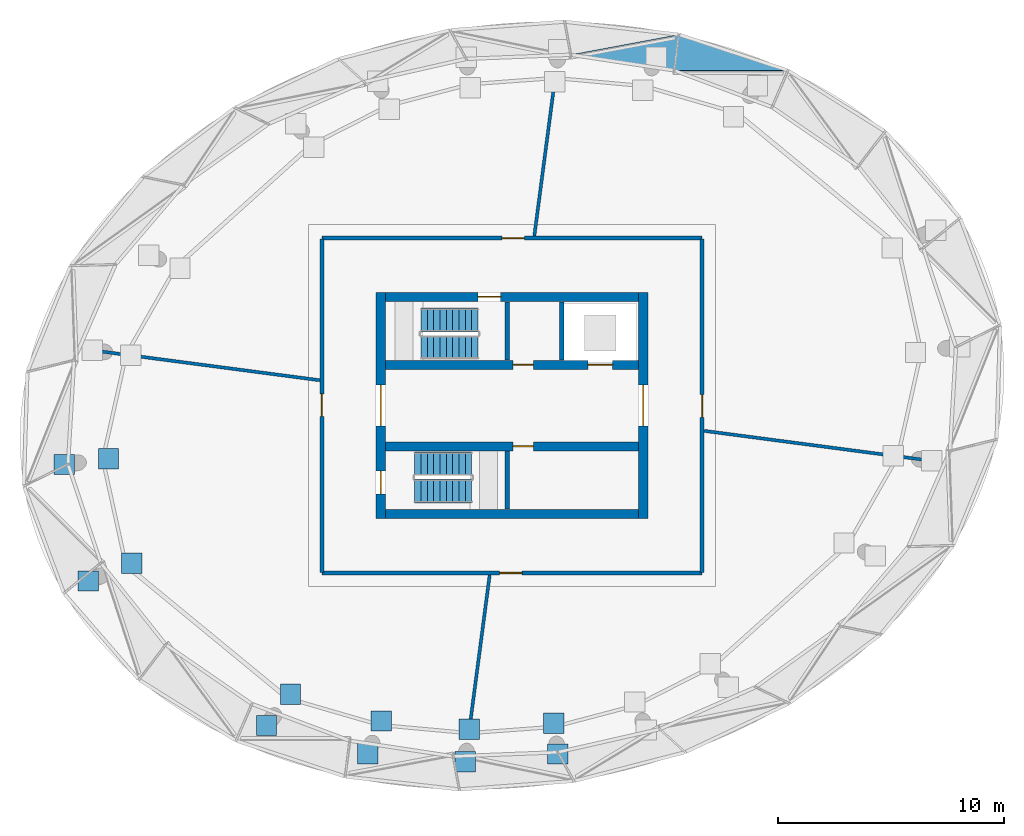
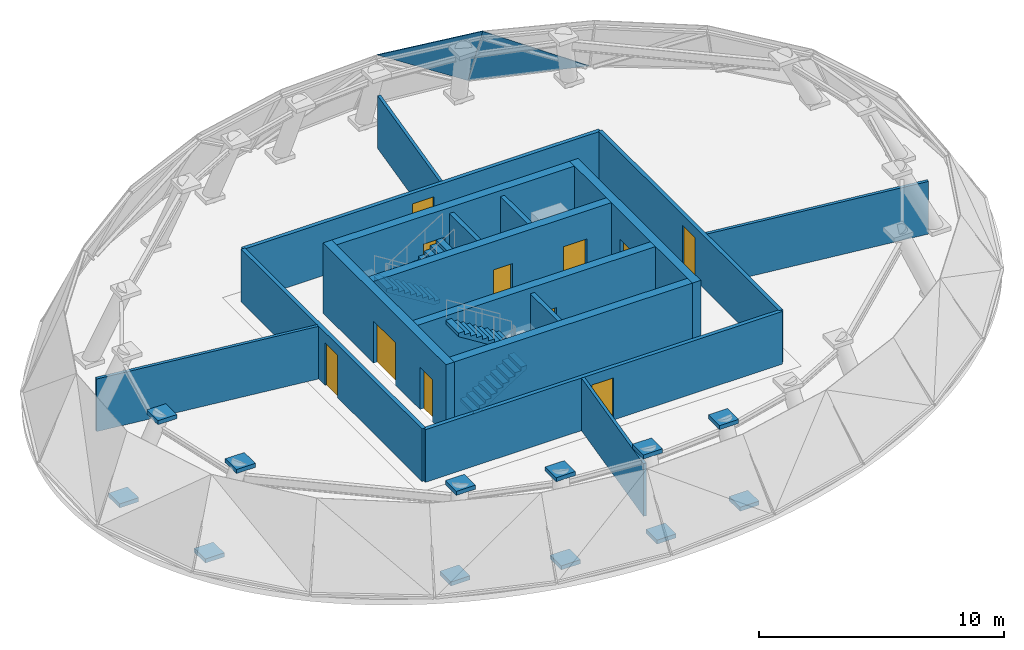
# One storey, part 6 of 9: 17 walls, 12 discrete accessories, 11 doors, 4 stair flights, 2 plates, 11 openings, 4 elements without a shape of their own.
"""IFC4 building model written with IfcOpenShell, lengths in metres."""

import ifcopenshell
import ifcopenshell.guid

model = None  # the IFC model being written
_history = None  # IfcOwnerHistory: only IFC2X3 demands one
_inside = {}  # id of a spatial element -> (the spatial element, [elements in it])
_under = {}  # id of a project, library or spatial element -> (it, [spatial elements below it])
_declared = {}  # id of a project -> (the project, [libraries it declares])
_typed = {}  # id of a type object -> (the type object, [elements of that type])
_made_of = {}  # id of a material, layer set ... -> (it, [elements and type objects made of it])


def new_model(schema):
    """Start an empty IFC model of exactly this schema.

    Asked for "IFC4X3", IfcOpenShell would pick the latest addendum, in which some entities
    have other attributes; the version numbers below select the first issue.
    IFC2X3 requires an IfcOwnerHistory on every rooted entity: one is made here for all.
    """
    global model, _history
    if schema == "IFC4X3":
        model = ifcopenshell.file(schema_version=(4, 3, 0, 0))
    else:
        model = ifcopenshell.file(schema=schema)
    _inside.clear()
    _under.clear()
    _declared.clear()
    _typed.clear()
    _made_of.clear()
    _history = None
    if model.schema == "IFC2X3":
        org = make("IfcOrganization", Name="unknown")
        user = make(
            "IfcPersonAndOrganization",
            ThePerson=make("IfcPerson", FamilyName="unknown"),
            TheOrganization=org,
        )
        app = make(
            "IfcApplication",
            ApplicationDeveloper=org,
            Version="unknown",
            ApplicationFullName="unknown",
            ApplicationIdentifier="unknown",
        )
        _history = make(
            "IfcOwnerHistory",
            OwningUser=user,
            OwningApplication=app,
            ChangeAction="ADDED",
            CreationDate=0,
        )
    return model


def make(cls, **values):
    """One entity of the class cls with the attributes given. An attribute that is None is left unset."""
    return model.create_entity(
        cls, **{name: value for name, value in values.items() if value is not None}
    )


def rooted(cls, **values):
    """An entity with a GlobalId (a new one), such as an element, a storey or a relation."""
    return make(cls, GlobalId=ifcopenshell.guid.new(), OwnerHistory=_history, **values)


def si_unit(unit_type, name, prefix=None):
    """IfcSIUnit, for example si_unit("LENGTHUNIT", "METRE", prefix="MILLI")."""
    return make("IfcSIUnit", UnitType=unit_type, Prefix=prefix, Name=name)


def assignment(units):
    """IfcUnitAssignment: the units of a project."""
    return None if units is None else make("IfcUnitAssignment", Units=units)


def point(xyz):
    """IfcCartesianPoint."""
    return None if xyz is None else make("IfcCartesianPoint", Coordinates=xyz)


def direction(xyz):
    """IfcDirection."""
    return None if xyz is None else make("IfcDirection", DirectionRatios=xyz)


def frame(location, z_axis=None, x_axis=None):
    """IfcAxis2Placement3D, a coordinate frame: its origin and axes. An axis left out is left unset."""
    return make(
        "IfcAxis2Placement3D",
        Location=point(location),
        Axis=direction(z_axis),
        RefDirection=direction(x_axis),
    )


def frame_2d(location, x_axis=None):
    """IfcAxis2Placement2D, a coordinate frame in the plane: its origin and x axis."""
    return make(
        "IfcAxis2Placement2D", Location=point(location), RefDirection=direction(x_axis)
    )


def origin():
    """The frame at (0, 0, 0) with its axes left unset."""
    return frame((0.0, 0.0, 0.0))


def origin_2d():
    """The frame at (0, 0) in the plane with its x axis left unset."""
    return frame_2d((0.0, 0.0))


def place(relative_to, where):
    """IfcLocalPlacement: puts the frame where relative to a parent placement (None: the world)."""
    return make(
        "IfcLocalPlacement", PlacementRelTo=relative_to, RelativePlacement=where
    )


def context(
    kind, dimensions, precision=None, world=None, true_north=None, identifier=None
):
    """IfcGeometricRepresentationContext, for example the 3D "Model" context."""
    return make(
        "IfcGeometricRepresentationContext",
        ContextIdentifier=identifier,
        ContextType=kind,
        CoordinateSpaceDimension=dimensions,
        Precision=precision,
        WorldCoordinateSystem=world,
        TrueNorth=true_north,
    )


def subcontext(parent, identifier, kind, view, scale=None):
    """IfcGeometricRepresentationSubContext, for example "Body" below "Model"."""
    return make(
        "IfcGeometricRepresentationSubContext",
        ContextIdentifier=identifier,
        ContextType=kind,
        ParentContext=parent,
        TargetScale=scale,
        TargetView=view,
    )


def project(units=None, contexts=None):
    """IfcProject with its units and contexts."""
    return rooted(
        "IfcProject",
        Name="project",
        RepresentationContexts=contexts,
        UnitsInContext=assignment(units),
    )


def spatial(cls, under=None, at=None, **own):
    """A site, building, storey or space (cls), placed at a placement, below another one or the project."""
    s = rooted(cls, ObjectPlacement=at, **own)
    if under is not None:
        _under.setdefault(under.id(), (under, []))[1].append(s)
    return s


def point_list(points):
    """IfcCartesianPointList2D or 3D."""
    cls = (
        "IfcCartesianPointList2D" if len(points[0]) == 2 else "IfcCartesianPointList3D"
    )
    return make(cls, CoordList=points)


def line(*indices):
    """IfcLineIndex: a straight run through numbered points of an indexed curve."""
    return model.create_entity("IfcLineIndex", indices)


def indexed_curve(points, segments=None, self_intersect=None):
    """IfcIndexedPolyCurve: lines and arcs through numbered points (the first is 1)."""
    return make(
        "IfcIndexedPolyCurve",
        Points=point_list(points),
        Segments=segments,
        SelfIntersect=self_intersect,
    )


def profile(cls, at=None, kind="AREA", **sizes):
    """A parametric profile (cls). Its sizes go by their IFC names, for example OverallWidth=200.0."""
    return make(cls, ProfileType=kind, Position=at, **sizes)


def rectangle(**sizes):
    """IfcRectangleProfileDef."""
    return profile("IfcRectangleProfileDef", **sizes)


def outline(outer, holes=None, kind="AREA"):
    """IfcArbitraryClosedProfileDef: a profile drawn as a closed curve; with holes, ...WithVoids."""
    if holes is None:
        return make("IfcArbitraryClosedProfileDef", ProfileType=kind, OuterCurve=outer)
    return make(
        "IfcArbitraryProfileDefWithVoids",
        ProfileType=kind,
        OuterCurve=outer,
        InnerCurves=holes,
    )


def extrude(swept, where, along, depth):
    """IfcExtrudedAreaSolid: the profile swept, set in the frame where, extruded along a direction by depth."""
    return make(
        "IfcExtrudedAreaSolid",
        SweptArea=swept,
        Position=where,
        ExtrudedDirection=direction(along),
        Depth=depth,
    )


def shape(context_of_items, identifier, shape_type, items):
    """IfcShapeRepresentation: the items that make up one representation, for example the "Body"."""
    return make(
        "IfcShapeRepresentation",
        ContextOfItems=context_of_items,
        RepresentationIdentifier=identifier,
        RepresentationType=shape_type,
        Items=items,
    )


def source(mapping_origin, context_of_items, identifier, shape_type, items):
    """IfcRepresentationMap: a shape defined once, which mapped items show again and again."""
    return make(
        "IfcRepresentationMap",
        MappingOrigin=mapping_origin,
        MappedRepresentation=shape(context_of_items, identifier, shape_type, items),
    )


def transform(
    local_origin,
    x_axis=None,
    y_axis=None,
    z_axis=None,
    scale=None,
    scale2=None,
    scale3=None,
    uniform=True,
):
    """IfcCartesianTransformationOperator3D, or its non-uniform kind. x_axis, y_axis, z_axis: its Axis1, 2, 3."""
    if uniform:
        return make(
            "IfcCartesianTransformationOperator3D",
            Axis1=direction(x_axis),
            Axis2=direction(y_axis),
            LocalOrigin=point(local_origin),
            Scale=scale,
            Axis3=direction(z_axis),
        )
    return make(
        "IfcCartesianTransformationOperator3DnonUniform",
        Axis1=direction(x_axis),
        Axis2=direction(y_axis),
        LocalOrigin=point(local_origin),
        Scale=scale,
        Axis3=direction(z_axis),
        Scale2=scale2,
        Scale3=scale3,
    )


def mapped(mapping_source, mapping_target):
    """IfcMappedItem: shows the shape of a source again, moved by a transform."""
    return make(
        "IfcMappedItem", MappingSource=mapping_source, MappingTarget=mapping_target
    )


def material(Name=None, Category=None):
    """IfcMaterial."""
    return make("IfcMaterial", Name=Name, Category=Category)


def layer(
    of_material, thickness, ventilated=None, Name=None, Category=None, Priority=None
):
    """IfcMaterialLayer: one layer of a wall or slab, of a material (None: an air gap)."""
    return make(
        "IfcMaterialLayer",
        Material=of_material,
        LayerThickness=thickness,
        IsVentilated=ventilated,
        Name=Name,
        Category=Category,
        Priority=Priority,
    )


def layer_set(layers, Name=None):
    """IfcMaterialLayerSet."""
    return make("IfcMaterialLayerSet", MaterialLayers=layers, LayerSetName=Name)


def made_of(thing, what):
    """Note that an element or type object is made of a material, layer set ...; save() writes the relation."""
    if what is not None:
        _made_of.setdefault(what.id(), (what, []))[1].append(thing)
    return thing


def type_object(cls, material=None, **own):
    """A type object (cls), such as IfcWallType, which elements share."""
    return made_of(rooted(cls, **own), material)


def element(
    cls,
    number,
    at=None,
    inside=None,
    cuts=None,
    type_object=None,
    material=None,
    context=None,
    identifier="Body",
    shape_type=None,
    held_by="IfcProductDefinitionShape",
    body=None,
    shapes=None,
    **own,
):
    """One element of the class cls, such as IfcWall. Its Tag is "e" and its number.

    at: its placement. inside: the storey or other place that contains it. cuts: it is an
    opening in that element (IfcRelVoidsElement). A single representation is given by context,
    identifier, shape_type and body (its items); several are given by shapes. held_by: the class
    of the entity that holds the representations. save() writes the other relations.
    """
    e = rooted(cls, Tag="e%d" % number, ObjectPlacement=at, **own)
    if body is not None:
        shapes = [shape(context, identifier, shape_type, body)]
    if shapes is not None:
        e.Representation = make(held_by, Representations=shapes)
    if inside is not None:
        _inside.setdefault(inside.id(), (inside, []))[1].append(e)
    if cuts is not None:
        rooted(
            "IfcRelVoidsElement", RelatingBuildingElement=cuts, RelatedOpeningElement=e
        )
    if type_object is not None:
        _typed.setdefault(type_object.id(), (type_object, []))[1].append(e)
    return made_of(e, material)


def fill(opening, filler):
    """IfcRelFillsElement: the door or window that sits in an opening."""
    return rooted(
        "IfcRelFillsElement",
        RelatingOpeningElement=opening,
        RelatedBuildingElement=filler,
    )


def aggregate(whole, parts):
    """IfcRelAggregates: a whole, such as a stair, and the parts it consists of."""
    return rooted("IfcRelAggregates", RelatingObject=whole, RelatedObjects=parts)


def save(model, path):
    """Write the relations noted so far, then the file.

    IfcRelAggregates (storeys below a building ...), IfcRelContainedInSpatialStructure (elements
    in a storey), IfcRelDefinesByType, IfcRelAssociatesMaterial and IfcRelDeclares: one each for
    every whole, place, type object, material and project.
    """
    for whole, parts in _under.values():
        aggregate(whole, parts)
    for where, things in _inside.values():
        rooted(
            "IfcRelContainedInSpatialStructure",
            RelatedElements=things,
            RelatingStructure=where,
        )
    for kind, things in _typed.values():
        rooted("IfcRelDefinesByType", RelatedObjects=things, RelatingType=kind)
    for what, things in _made_of.values():
        rooted("IfcRelAssociatesMaterial", RelatedObjects=things, RelatingMaterial=what)
    for by, libraries in _declared.values():
        rooted("IfcRelDeclares", RelatingContext=by, RelatedDefinitions=libraries)
    model.write(path)


model = new_model("IFC4")

# Units and contexts
model_context = context("Model", 3, precision=1e-05, world=origin(), true_north=direction((0.0, 1.0)))
body_context = subcontext(model_context, "Body", "Model", "MODEL_VIEW")
ifc_project = project(units=[si_unit("LENGTHUNIT", "METRE"), si_unit("AREAUNIT", "SQUARE_METRE"), si_unit("VOLUMEUNIT", "CUBIC_METRE"), si_unit("PLANEANGLEUNIT", "RADIAN"), si_unit("MASSUNIT", "GRAM", prefix="KILO")], contexts=[model_context])

# Site, building, storey
site_placement = place(None, origin())
site = spatial("IfcSite", under=ifc_project, at=site_placement, CompositionType="ELEMENT")
building_placement = place(site_placement, origin())
building = spatial("IfcBuilding", under=site, at=building_placement, Name="Spindrift Exchange Tower", CompositionType="ELEMENT")
storey_placement = place(building_placement, frame((0.0, 0.0, 269.60009765625)))
storey = spatial("IfcBuildingStorey", under=building, at=storey_placement, Name="L66", CompositionType="ELEMENT", Elevation=269.60009765625)

# Curtain wall, plate
ifc_material_1 = material(Name="Fritted laminated glass with bronze frame", Category="glass")
ifc_layer_1 = layer(ifc_material_1, 0.14990234375)
ifc_layer_set_1 = layer_set([ifc_layer_1], Name="CROWN BRONZE RAKED GLAZED WALL")
curtain_wall_type = type_object("IfcCurtainWallType", Name="CROWN BRONZE RAKED GLAZED WALL", PredefinedType="NOTDEFINED", material=ifc_layer_set_1)
curtain_wall_1_placement = place(storey_placement, origin())
curtain_wall_1 = element("IfcCurtainWall", 1, at=curtain_wall_1_placement, inside=storey, type_object=curtain_wall_type, Name="L66 Crown Bronze Raked Glazed Wall facet 7", PredefinedType="NOTDEFINED")
ifc_material_2 = material(Name="Bronze fritted laminated glass, close frit", Category="glass")
ifc_layer_2 = layer(ifc_material_2, 0.030029296875)
ifc_layer_set_2 = layer_set([ifc_layer_2], Name="CROWN BRONZE RAKED GLAZED WALL PANEL CLOSE FRIT 540")
plate_type = type_object("IfcPlateType", Name="CROWN BRONZE RAKED GLAZED WALL PANEL CLOSE FRIT 540", PredefinedType="CURTAIN_PANEL", material=ifc_layer_set_2)
plate_1_placement = place(storey_placement, frame((64.19091796875, 62.806396484375, 0.01220703125), z_axis=(0.285274789537, 0.866224326329, 0.410211787899), x_axis=(-0.949817487992, 0.312804634723, 0.0)))
plate_1 = element("IfcPlate", 2, at=plate_1_placement, type_object=plate_type, Name="L66 panel CW-R.4a", PredefinedType="CURTAIN_PANEL", context=body_context, shape_type="SweptSolid", body=[
    extrude(outline(indexed_curve([(0.0, 0.0), (5.07421875, 0.0), (4.7724609375, 3.82421875)], segments=[line(1, 2, 3, 1)], self_intersect=False)), origin(), (0.0, 0.0, -1.0), 0.030029296875),
])
aggregate(curtain_wall_1, [plate_1])

curtain_wall_2_placement = place(storey_placement, origin())
curtain_wall_2 = element("IfcCurtainWall", 3, at=curtain_wall_2_placement, inside=storey, type_object=curtain_wall_type, Name="L66 Crown Bronze Raked Glazed Wall facet 10", PredefinedType="NOTDEFINED")
plate_2_placement = place(storey_placement, frame((59.37158203125, 64.3935546875, 0.012451171875), z_axis=(0.136177705912, 0.898936118609, 0.416376616865), x_axis=(-0.798484918493, -0.149187702213, 0.583236542449)))
plate_2 = element("IfcPlate", 4, at=plate_2_placement, type_object=plate_type, Name="L66 panel CW-R.5b", PredefinedType="CURTAIN_PANEL", context=body_context, shape_type="SweptSolid", body=[
    extrude(outline(indexed_curve([(0.0, 0.0), (5.9794921875, 0.0), (2.43359375, 2.9658203125)], segments=[line(1, 2, 3, 1)], self_intersect=False)), origin(), (0.0, 0.0, -1.0), 0.030029296875),
])
aggregate(curtain_wall_2, [plate_2])

# Wall, opening, door
ifc_material_3 = material(Name="Concrete 40 MPa", Category="concrete")
ifc_layer_3 = layer(ifc_material_3, 0.39990234375)
ifc_layer_set_3 = layer_set([ifc_layer_3], Name="RC Core Wall 400 Concrete 40 MPa")
wall_type_1 = type_object("IfcWallType", Name="RC Core Wall 400 Concrete 40 MPa", PredefinedType="SHEAR", material=ifc_layer_set_3)
wall_1_placement = place(storey_placement, frame((57.800048828125, 43.0, 0.0), z_axis=(0.0, 0.0, 1.0), x_axis=(0.0, 1.0, 0.0)))
wall_1 = element("IfcWall", 5, at=wall_1_placement, inside=storey, type_object=wall_type_1, Name="Core wall E L66", PredefinedType="SHEAR", context=body_context, shape_type="SweptSolid", body=[
    extrude(rectangle(XDim=10.0, YDim=0.39990234375, at=frame_2d((5.0, 0.0))), origin(), (0.0, 0.0, 1.0), 3.5),
])
opening_1_placement = place(wall_1_placement, frame((4.10009765625, 0.0, 0.0)))
opening_1 = element("IfcOpeningElement", 6, at=opening_1_placement, cuts=wall_1, Name="Opening L66-D2", PredefinedType="OPENING", context=body_context, shape_type="SweptSolid", body=[
    extrude(rectangle(XDim=1.800048828125, YDim=2.10009765625, at=frame_2d((0.89990234375, 1.050048828125))), frame((0.0, 0.2099609375, 0.0), z_axis=(0.0, -1.0, 0.0), x_axis=(1.0, 0.0, 0.0)), (0.0, 0.0, 1.0), 0.419921875),
])
ifc_material_4 = material(Name="Timber-core fire door", Category="wood")
door_type_1 = type_object("IfcDoorType", Name="DR-LOBBY-1800", OperationType="NOTDEFINED", PredefinedType="DOOR", material=ifc_material_4)
shared_shape_1 = source(origin(), body_context, "Body", "SweptSolid", [
    extrude(rectangle(XDim=1.800048828125, YDim=2.10009765625, at=frame_2d((0.89990234375, 1.050048828125))), frame((0.0, 0.02490234375, 0.0), z_axis=(0.0, -1.0, 0.0), x_axis=(1.0, 0.0, 0.0)), (0.0, 0.0, 1.0), 0.050048828125),
])
door_1_placement = place(opening_1_placement, origin())
door_1 = element("IfcDoor", 7, at=door_1_placement, inside=storey, type_object=door_type_1, Name="L66 Lobby door 2", OperationType="SINGLE_SWING_RIGHT", OverallHeight=2.10009765625, OverallWidth=1.800048828125, PredefinedType="DOOR", context=body_context, shape_type="MappedRepresentation", body=[
    mapped(shared_shape_1, transform((0.0, 0.0, 0.0), scale=1.0)),
])
fill(opening_1, door_1)

# Wall, openings, doors
wall_2_placement = place(storey_placement, frame((46.199951171875, 53.0, 0.0), z_axis=(0.0, 0.0, 1.0), x_axis=(0.0, -1.0, 0.0)))
wall_2 = element("IfcWall", 8, at=wall_2_placement, inside=storey, type_object=wall_type_1, Name="Core wall W L66", PredefinedType="SHEAR", context=body_context, shape_type="SweptSolid", body=[
    extrude(rectangle(XDim=10.0, YDim=0.39990234375, at=frame_2d((5.0, 0.0))), origin(), (0.0, 0.0, 1.0), 3.5),
])
opening_2_placement = place(wall_2_placement, frame((4.10009765625, 0.0, 0.0)))
opening_2 = element("IfcOpeningElement", 9, at=opening_2_placement, cuts=wall_2, Name="Opening L66-D1", PredefinedType="OPENING", context=body_context, shape_type="SweptSolid", body=[
    extrude(rectangle(XDim=1.800048828125, YDim=2.10009765625, at=frame_2d((0.89990234375, 1.050048828125))), frame((0.0, 0.2099609375, 0.0), z_axis=(0.0, -1.0, 0.0), x_axis=(1.0, 0.0, 0.0)), (0.0, 0.0, 1.0), 0.419921875),
])
opening_3_placement = place(wall_2_placement, frame((7.89990234375, 0.0, 0.0)))
opening_3 = element("IfcOpeningElement", 10, at=opening_3_placement, cuts=wall_2, Name="Opening L66-D4", PredefinedType="OPENING", context=body_context, shape_type="SweptSolid", body=[
    extrude(rectangle(XDim=1.0, YDim=2.10009765625, at=frame_2d((0.5, 1.050048828125))), frame((0.0, 0.2099609375, 0.0), z_axis=(0.0, -1.0, 0.0), x_axis=(1.0, 0.0, 0.0)), (0.0, 0.0, 1.0), 0.419921875),
])
door_2_placement = place(opening_2_placement, origin())
door_2 = element("IfcDoor", 11, at=door_2_placement, inside=storey, type_object=door_type_1, Name="L66 Lobby door 1", OperationType="SINGLE_SWING_LEFT", OverallHeight=2.10009765625, OverallWidth=1.800048828125, PredefinedType="DOOR", context=body_context, shape_type="MappedRepresentation", body=[
    mapped(shared_shape_1, transform((0.0, 0.0, 0.0), scale=1.0)),
])
fill(opening_2, door_2)
ifc_material_5 = material(Name="Steel fire door", Category="steel")
door_type_2 = type_object("IfcDoorType", Name="DR-STAIR-1000", OperationType="NOTDEFINED", PredefinedType="DOOR", material=ifc_material_5)
shared_shape_2 = source(origin(), body_context, "Body", "SweptSolid", [
    extrude(rectangle(XDim=1.0, YDim=2.10009765625, at=frame_2d((0.5, 1.050048828125))), frame((0.0, 0.02490234375, 0.0), z_axis=(0.0, -1.0, 0.0), x_axis=(1.0, 0.0, 0.0)), (0.0, 0.0, 1.0), 0.050048828125),
])
door_3_placement = place(opening_3_placement, origin())
door_3 = element("IfcDoor", 12, at=door_3_placement, inside=storey, type_object=door_type_2, Name="L66 Stair door 4", OperationType="SINGLE_SWING_RIGHT", OverallHeight=2.10009765625, OverallWidth=1.0, PredefinedType="DOOR", context=body_context, shape_type="MappedRepresentation", body=[
    mapped(shared_shape_2, transform((0.0, 0.0, 0.0), scale=1.0)),
])
fill(opening_3, door_3)

# Wall
wall_3_placement = place(storey_placement, frame((46.39990234375, 43.199951171875, 0.0), z_axis=(0.0, 0.0, 1.0), x_axis=(1.0, 0.0, 0.0)))
element("IfcWall", 13, at=wall_3_placement, inside=storey, type_object=wall_type_1, Name="Core wall S L66", PredefinedType="SHEAR", context=body_context, shape_type="SweptSolid", body=[
    extrude(rectangle(XDim=11.2001953125, YDim=0.39990234375, at=frame_2d((5.60009765625, 0.0))), origin(), (0.0, 0.0, 1.0), 3.5),
])

# Wall, opening, door
wall_4_placement = place(storey_placement, frame((57.60009765625, 52.800048828125, 0.0), z_axis=(0.0, 0.0, 1.0), x_axis=(-1.0, 0.0, 0.0)))
wall_4 = element("IfcWall", 14, at=wall_4_placement, inside=storey, type_object=wall_type_1, Name="Core wall N L66", PredefinedType="SHEAR", context=body_context, shape_type="SweptSolid", body=[
    extrude(rectangle(XDim=11.2001953125, YDim=0.39990234375, at=frame_2d((5.60009765625, 0.0))), origin(), (0.0, 0.0, 1.0), 3.5),
])
opening_4_placement = place(wall_4_placement, frame((6.10009765625, 0.0, 0.0)))
opening_4 = element("IfcOpeningElement", 15, at=opening_4_placement, cuts=wall_4, Name="Opening L66-D3", PredefinedType="OPENING", context=body_context, shape_type="SweptSolid", body=[
    extrude(rectangle(XDim=1.0, YDim=2.10009765625, at=frame_2d((0.5, 1.050048828125))), frame((0.0, 0.2099609375, 0.0), z_axis=(0.0, -1.0, 0.0), x_axis=(1.0, 0.0, 0.0)), (0.0, 0.0, 1.0), 0.419921875),
])
door_4_placement = place(opening_4_placement, origin())
door_4 = element("IfcDoor", 16, at=door_4_placement, inside=storey, type_object=door_type_2, Name="L66 Stair door 3", OperationType="SINGLE_SWING_LEFT", OverallHeight=2.10009765625, OverallWidth=1.0, PredefinedType="DOOR", context=body_context, shape_type="MappedRepresentation", body=[
    mapped(shared_shape_2, transform((0.0, 0.0, 0.0), scale=1.0)),
])
fill(opening_4, door_4)

# Wall, openings, doors
ifc_layer_4 = layer(ifc_material_3, 0.39990234375)
ifc_layer_set_4 = layer_set([ifc_layer_4], Name="RC Spine Wall 400 Concrete 40 MPa")
wall_type_2 = type_object("IfcWallType", Name="RC Spine Wall 400 Concrete 40 MPa", PredefinedType="SHEAR", material=ifc_layer_set_4)
wall_5_placement = place(storey_placement, frame((46.39990234375, 49.800048828125, 0.0), z_axis=(0.0, 0.0, 1.0), x_axis=(1.0, 0.0, 0.0)))
wall_5 = element("IfcWall", 17, at=wall_5_placement, inside=storey, type_object=wall_type_2, Name="Core spine wall N L66", PredefinedType="SHEAR", context=body_context, shape_type="SweptSolid", body=[
    extrude(rectangle(XDim=11.2001953125, YDim=0.39990234375, at=frame_2d((5.60009765625, 0.0))), origin(), (0.0, 0.0, 1.0), 3.5),
])
opening_5_placement = place(wall_5_placement, frame((8.949951171875, 0.0, 0.0)))
opening_5 = element("IfcOpeningElement", 18, at=opening_5_placement, cuts=wall_5, Name="Opening L66-D5", PredefinedType="OPENING", context=body_context, shape_type="SweptSolid", body=[
    extrude(rectangle(XDim=1.10009765625, YDim=2.10009765625, at=frame_2d((0.550048828125, 1.050048828125))), frame((0.0, 0.2099609375, 0.0), z_axis=(0.0, -1.0, 0.0), x_axis=(1.0, 0.0, 0.0)), (0.0, 0.0, 1.0), 0.419921875),
])
opening_6_placement = place(wall_5_placement, frame((5.64990234375, 0.0, 0.0)))
opening_6 = element("IfcOpeningElement", 19, at=opening_6_placement, cuts=wall_5, Name="Opening L66-D10", PredefinedType="OPENING", context=body_context, shape_type="SweptSolid", body=[
    extrude(rectangle(XDim=0.89990234375, YDim=2.10009765625, at=frame_2d((0.449951171875, 1.050048828125))), frame((0.0, 0.2099609375, 0.0), z_axis=(0.0, -1.0, 0.0), x_axis=(1.0, 0.0, 0.0)), (0.0, 0.0, 1.0), 0.419921875),
])
ifc_material_6 = material(Name="Stainless steel landing door", Category="steel")
door_type_3 = type_object("IfcDoorType", Name="DR-LANDING-1100-SL", OperationType="DOUBLE_DOOR_SLIDING", PredefinedType="USERDEFINED", material=ifc_material_6)
shared_shape_3 = source(origin(), body_context, "Body", "SweptSolid", [
    extrude(rectangle(XDim=1.10009765625, YDim=2.10009765625, at=frame_2d((0.550048828125, 1.050048828125))), frame((0.0, 0.02490234375, 0.0), z_axis=(0.0, -1.0, 0.0), x_axis=(1.0, 0.0, 0.0)), (0.0, 0.0, 1.0), 0.050048828125),
])
door_5_placement = place(opening_5_placement, origin())
door_5 = element("IfcDoor", 20, at=door_5_placement, inside=storey, type_object=door_type_3, Name="L66 Lift landing door 5", ObjectType="LANDING DOOR", OperationType="DOUBLE_DOOR_SLIDING", OverallHeight=2.10009765625, OverallWidth=1.10009765625, PredefinedType="USERDEFINED", context=body_context, shape_type="MappedRepresentation", body=[
    mapped(shared_shape_3, transform((0.0, 0.0, 0.0), scale=1.0)),
])
fill(opening_5, door_5)
ifc_material_7 = material(Name="Steel access door", Category="steel")
door_type_4 = type_object("IfcDoorType", Name="DR-RISER-900", OperationType="NOTDEFINED", PredefinedType="DOOR", material=ifc_material_7)
shared_shape_4 = source(origin(), body_context, "Body", "SweptSolid", [
    extrude(rectangle(XDim=0.89990234375, YDim=2.10009765625, at=frame_2d((0.449951171875, 1.050048828125))), frame((0.0, 0.02490234375, 0.0), z_axis=(0.0, -1.0, 0.0), x_axis=(1.0, 0.0, 0.0)), (0.0, 0.0, 1.0), 0.050048828125),
])
door_6_placement = place(opening_6_placement, origin())
door_6 = element("IfcDoor", 21, at=door_6_placement, inside=storey, type_object=door_type_4, Name="L66 Riser door 10", OperationType="SINGLE_SWING_LEFT", OverallHeight=2.10009765625, OverallWidth=0.89990234375, PredefinedType="DOOR", context=body_context, shape_type="MappedRepresentation", body=[
    mapped(shared_shape_4, transform((0.0, 0.0, 0.0), scale=1.0)),
])
fill(opening_6, door_6)

# Wall, opening, door
wall_6_placement = place(storey_placement, frame((46.39990234375, 46.199951171875, 0.0), z_axis=(0.0, 0.0, 1.0), x_axis=(1.0, 0.0, 0.0)))
wall_6 = element("IfcWall", 22, at=wall_6_placement, inside=storey, type_object=wall_type_2, Name="Core spine wall S L66", PredefinedType="SHEAR", context=body_context, shape_type="SweptSolid", body=[
    extrude(rectangle(XDim=11.2001953125, YDim=0.39990234375, at=frame_2d((5.60009765625, 0.0))), origin(), (0.0, 0.0, 1.0), 3.5),
])
opening_7_placement = place(wall_6_placement, frame((5.64990234375, 0.0, 0.0)))
opening_7 = element("IfcOpeningElement", 23, at=opening_7_placement, cuts=wall_6, Name="Opening L66-D11", PredefinedType="OPENING", context=body_context, shape_type="SweptSolid", body=[
    extrude(rectangle(XDim=0.89990234375, YDim=2.10009765625, at=frame_2d((0.449951171875, 1.050048828125))), frame((0.0, 0.2099609375, 0.0), z_axis=(0.0, -1.0, 0.0), x_axis=(1.0, 0.0, 0.0)), (0.0, 0.0, 1.0), 0.419921875),
])
door_7_placement = place(opening_7_placement, origin())
door_7 = element("IfcDoor", 24, at=door_7_placement, inside=storey, type_object=door_type_4, Name="L66 Riser door 11", OperationType="SINGLE_SWING_RIGHT", OverallHeight=2.10009765625, OverallWidth=0.89990234375, PredefinedType="DOOR", context=body_context, shape_type="MappedRepresentation", body=[
    mapped(shared_shape_4, transform((0.0, 0.0, 0.0), scale=1.0)),
])
fill(opening_7, door_7)

# Walls
ifc_material_8 = material(Name="Fire-rated plasterboard partition", Category="gypsum")
ifc_layer_5 = layer(ifc_material_8, 0.139892578125)
ifc_layer_set_5 = layer_set([ifc_layer_5], Name="W-PLANT-140")
wall_type_3 = type_object("IfcWallType", Name="W-PLANT-140", PredefinedType="PARTITIONING", material=ifc_layer_set_5)
for number, where, z_axis, x_axis, name in (
    (25, (60.489990234375, 46.88232421875, 0.0), (0.0, 0.0, 1.0), (0.991444523753, -0.130528756683, 0.0), "L66 Partition wall 8"),
    (26, (43.510009765625, 49.11767578125, 0.0), (0.0, 0.0, 1.0), (-0.991444523753, 0.130528756683, 0.0), "L66 Partition wall 9"),
):
    element("IfcWall", number, at=place(storey_placement, frame(where, z_axis=z_axis, x_axis=x_axis)), inside=storey, type_object=wall_type_3, Name=name, PredefinedType="PARTITIONING", context=body_context, shape_type="SweptSolid", body=[
        extrude(rectangle(XDim=9.7822265625, YDim=0.139892578125, at=frame_2d((4.89111328125, 0.0))), origin(), (0.0, 0.0, 1.0), 2.619873046875),
    ])
for number, where, z_axis, x_axis, name in (
    (27, (51.013916015625, 40.510009765625, 0.0), (0.0, 0.0, 1.0), (-0.130531034985, -0.9914442238, 0.0), "L66 Partition wall 10"),
    (28, (52.986083984375, 55.489990234375, 0.0), (0.0, 0.0, 1.0), (0.130531034985, 0.9914442238, 0.0), "L66 Partition wall 11"),
):
    element("IfcWall", number, at=place(storey_placement, frame(where, z_axis=z_axis, x_axis=x_axis)), inside=storey, type_object=wall_type_3, Name=name, PredefinedType="PARTITIONING", context=body_context, shape_type="SweptSolid", body=[
        extrude(rectangle(XDim=6.602294921875, YDim=0.139892578125, at=frame_2d((3.30126953125, 0.0))), origin(), (0.0, 0.0, 1.0), 2.619873046875),
    ])

# Wall, opening, door
ifc_layer_6 = layer(ifc_material_8, 0.179931640625)
ifc_layer_set_6 = layer_set([ifc_layer_6], Name="W-PLANT-180")
wall_type_4 = type_object("IfcWallType", Name="W-PLANT-180", PredefinedType="PARTITIONING", material=ifc_layer_set_6)
wall_7_placement = place(storey_placement, frame((43.60009765625, 55.39990234375, 0.0), z_axis=(0.0, 0.0, 1.0), x_axis=(1.0, 0.0, 0.0)))
wall_7 = element("IfcWall", 29, at=wall_7_placement, inside=storey, type_object=wall_type_4, Name="L66 Partition wall 4", PredefinedType="PARTITIONING", context=body_context, shape_type="SweptSolid", body=[
    extrude(rectangle(XDim=16.7998046875, YDim=0.179931640625, at=frame_2d((8.39990234375, 0.0))), origin(), (0.0, 0.0, 1.0), 2.619873046875),
])
opening_8_placement = place(wall_7_placement, frame((7.949951171875, 0.0, 0.0)))
opening_8 = element("IfcOpeningElement", 30, at=opening_8_placement, cuts=wall_7, Name="Opening L66-D7", PredefinedType="OPENING", context=body_context, shape_type="SweptSolid", body=[
    extrude(rectangle(XDim=1.0, YDim=2.10009765625, at=frame_2d((0.5, 1.050048828125))), frame((0.0, 0.099853515625, 0.0), z_axis=(0.0, -1.0, 0.0), x_axis=(1.0, 0.0, 0.0)), (0.0, 0.0, 1.0), 0.199951171875),
])
door_type_5 = type_object("IfcDoorType", Name="DR-ROOM-1000", OperationType="NOTDEFINED", PredefinedType="DOOR", material=ifc_material_4)
shared_shape_5 = source(origin(), body_context, "Body", "SweptSolid", [
    extrude(rectangle(XDim=1.0, YDim=2.10009765625, at=frame_2d((0.5, 1.050048828125))), frame((0.0, 0.02490234375, 0.0), z_axis=(0.0, -1.0, 0.0), x_axis=(1.0, 0.0, 0.0)), (0.0, 0.0, 1.0), 0.050048828125),
])
door_8_placement = place(opening_8_placement, origin())
door_8 = element("IfcDoor", 31, at=door_8_placement, inside=storey, type_object=door_type_5, Name="L66 Door 7", OperationType="SINGLE_SWING_RIGHT", OverallHeight=2.10009765625, OverallWidth=1.0, PredefinedType="DOOR", context=body_context, shape_type="MappedRepresentation", body=[
    mapped(shared_shape_5, transform((0.0, 0.0, 0.0), scale=1.0)),
])
fill(opening_8, door_8)

wall_8_placement = place(storey_placement, frame((60.39990234375, 40.60009765625, 0.0), z_axis=(0.0, 0.0, 1.0), x_axis=(-1.0, 0.0, 0.0)))
wall_8 = element("IfcWall", 32, at=wall_8_placement, inside=storey, type_object=wall_type_4, Name="L66 Partition wall 5", PredefinedType="PARTITIONING", context=body_context, shape_type="SweptSolid", body=[
    extrude(rectangle(XDim=16.7998046875, YDim=0.179931640625, at=frame_2d((8.39990234375, 0.0))), origin(), (0.0, 0.0, 1.0), 2.619873046875),
])
opening_9_placement = place(wall_8_placement, frame((7.949951171875, 0.0, 0.0)))
opening_9 = element("IfcOpeningElement", 33, at=opening_9_placement, cuts=wall_8, Name="Opening L66-D9", PredefinedType="OPENING", context=body_context, shape_type="SweptSolid", body=[
    extrude(rectangle(XDim=1.0, YDim=2.10009765625, at=frame_2d((0.5, 1.050048828125))), frame((0.0, 0.099853515625, 0.0), z_axis=(0.0, -1.0, 0.0), x_axis=(1.0, 0.0, 0.0)), (0.0, 0.0, 1.0), 0.199951171875),
])
door_9_placement = place(opening_9_placement, origin())
door_9 = element("IfcDoor", 34, at=door_9_placement, inside=storey, type_object=door_type_5, Name="L66 Door 9", OperationType="SINGLE_SWING_RIGHT", OverallHeight=2.10009765625, OverallWidth=1.0, PredefinedType="DOOR", context=body_context, shape_type="MappedRepresentation", body=[
    mapped(shared_shape_5, transform((0.0, 0.0, 0.0), scale=1.0)),
])
fill(opening_9, door_9)

wall_9_placement = place(storey_placement, frame((60.39990234375, 55.3701171875, 0.0), z_axis=(0.0, 0.0, 1.0), x_axis=(0.0, -1.0, 0.0)))
wall_9 = element("IfcWall", 35, at=wall_9_placement, inside=storey, type_object=wall_type_4, Name="L66 Partition wall 6", PredefinedType="PARTITIONING", context=body_context, shape_type="SweptSolid", body=[
    extrude(rectangle(XDim=14.740234375, YDim=0.179931640625, at=frame_2d((7.3701171875, 0.0))), origin(), (0.0, 0.0, 1.0), 2.619873046875),
])
opening_10_placement = place(wall_9_placement, frame((6.889892578125, 0.0, 0.0)))
opening_10 = element("IfcOpeningElement", 36, at=opening_10_placement, cuts=wall_9, Name="Opening L66-D6", PredefinedType="OPENING", context=body_context, shape_type="SweptSolid", body=[
    extrude(rectangle(XDim=1.0, YDim=2.10009765625, at=frame_2d((0.5, 1.050048828125))), frame((0.0, 0.099853515625, 0.0), z_axis=(0.0, -1.0, 0.0), x_axis=(1.0, 0.0, 0.0)), (0.0, 0.0, 1.0), 0.199951171875),
])
door_10_placement = place(opening_10_placement, origin())
door_10 = element("IfcDoor", 37, at=door_10_placement, inside=storey, type_object=door_type_5, Name="L66 Door 6", OperationType="SINGLE_SWING_LEFT", OverallHeight=2.10009765625, OverallWidth=1.0, PredefinedType="DOOR", context=body_context, shape_type="MappedRepresentation", body=[
    mapped(shared_shape_5, transform((0.0, 0.0, 0.0), scale=1.0)),
])
fill(opening_10, door_10)

wall_10_placement = place(storey_placement, frame((43.60009765625, 40.6298828125, 0.0), z_axis=(0.0, 0.0, 1.0), x_axis=(0.0, 1.0, 0.0)))
wall_10 = element("IfcWall", 38, at=wall_10_placement, inside=storey, type_object=wall_type_4, Name="L66 Partition wall 7", PredefinedType="PARTITIONING", context=body_context, shape_type="SweptSolid", body=[
    extrude(rectangle(XDim=14.740234375, YDim=0.179931640625, at=frame_2d((7.3701171875, 0.0))), origin(), (0.0, 0.0, 1.0), 2.619873046875),
])
opening_11_placement = place(wall_10_placement, frame((6.889892578125, 0.0, 0.0)))
opening_11 = element("IfcOpeningElement", 39, at=opening_11_placement, cuts=wall_10, Name="Opening L66-D8", PredefinedType="OPENING", context=body_context, shape_type="SweptSolid", body=[
    extrude(rectangle(XDim=1.0, YDim=2.10009765625, at=frame_2d((0.5, 1.050048828125))), frame((0.0, 0.099853515625, 0.0), z_axis=(0.0, -1.0, 0.0), x_axis=(1.0, 0.0, 0.0)), (0.0, 0.0, 1.0), 0.199951171875),
])
door_11_placement = place(opening_11_placement, origin())
door_11 = element("IfcDoor", 40, at=door_11_placement, inside=storey, type_object=door_type_5, Name="L66 Door 8", OperationType="SINGLE_SWING_LEFT", OverallHeight=2.10009765625, OverallWidth=1.0, PredefinedType="DOOR", context=body_context, shape_type="MappedRepresentation", body=[
    mapped(shared_shape_5, transform((0.0, 0.0, 0.0), scale=1.0)),
])
fill(opening_11, door_11)

# Walls
ifc_layer_7 = layer(ifc_material_3, 0.199951171875)
ifc_layer_set_7 = layer_set([ifc_layer_7], Name="W-SHAFT-200")
wall_type_5 = type_object("IfcWallType", Name="W-SHAFT-200", PredefinedType="SOLIDWALL", material=ifc_layer_set_7)
wall_11_placement = place(storey_placement, frame((54.199951171875, 52.580078125, 0.0), z_axis=(0.0, 0.0, 1.0), x_axis=(0.0, -1.0, 0.0)))
element("IfcWall", 41, at=wall_11_placement, inside=storey, type_object=wall_type_5, Name="L66 Shaft wall 3", PredefinedType="SOLIDWALL", context=body_context, shape_type="SweptSolid", body=[
    extrude(rectangle(XDim=2.570068359375, YDim=0.199951171875, at=frame_2d((1.28515625, 0.0))), origin(), (0.0, 0.0, 1.0), 3.219970703125),
])
ifc_layer_8 = layer(ifc_material_3, 0.199951171875)
ifc_layer_set_8 = layer_set([ifc_layer_8], Name="W-SHAFT-200-LB")
wall_type_6 = type_object("IfcWallType", Name="W-SHAFT-200-LB", PredefinedType="SOLIDWALL", material=ifc_layer_set_8)
for number, where, z_axis, x_axis, name in (
    (42, (51.800048828125, 43.419921875, 0.0), (0.0, 0.0, 1.0), (0.0, 1.0, 0.0), "L66 Shaft wall 1"),
    (43, (51.800048828125, 50.010009765625, 0.0), (0.0, 0.0, 1.0), (0.0, 1.0, 0.0), "L66 Shaft wall 2"),
):
    element("IfcWall", number, at=place(storey_placement, frame(where, z_axis=z_axis, x_axis=x_axis)), inside=storey, type_object=wall_type_6, Name=name, PredefinedType="SOLIDWALL", context=body_context, shape_type="SweptSolid", body=[
        extrude(rectangle(XDim=2.570068359375, YDim=0.199951171875, at=frame_2d((1.28515625, 0.0))), origin(), (0.0, 0.0, 1.0), 3.219970703125),
    ])

# Stair, stair flights
ifc_material_9 = material(Name="Concrete 50 MPa", Category="concrete")
stair_type = type_object("IfcStairType", Name="ST-1050-R175", PredefinedType="HALF_TURN_STAIR", material=ifc_material_9)
stair_1_placement = place(storey_placement, origin())
stair_1 = element("IfcStair", 44, at=stair_1_placement, inside=storey, type_object=stair_type, Name="L66 Exit stair ST3", PredefinedType="HALF_TURN_STAIR")
stair_flight_type = type_object("IfcStairFlightType", Name="STF-1050-R175", PredefinedType="STRAIGHT", material=ifc_material_9)
stair_flight_1_placement = place(storey_placement, frame((50.5, 51.77490234375, 0.0), z_axis=(0.0, 0.0, 1.0), x_axis=(-1.0, 0.0, 0.0)))
stair_flight_1 = element("IfcStairFlight", 45, at=stair_flight_1_placement, type_object=stair_flight_type, Name="ST3 flight 1", NumberOfRisers=10, NumberOfTreads=9, PredefinedType="STRAIGHT", RiserHeight=0.175, TreadLength=0.28, context=body_context, shape_type="SweptSolid", body=[
    extrude(outline(indexed_curve([(0.0, 0.0), (0.0, 0.1748046875), (0.2802734375, 0.1748046875), (0.2802734375, 0.349609375), (0.5595703125, 0.349609375), (0.5595703125, 0.525390625), (0.83984375, 0.525390625), (0.83984375, 0.7001953125), (1.1201171875, 0.7001953125), (1.1201171875, 0.875), (1.400390625, 0.875), (1.400390625, 1.0498046875), (1.6796875, 1.0498046875), (1.6796875, 1.224609375), (1.9599609375, 1.224609375), (1.9599609375, 1.400390625), (2.240234375, 1.400390625), (2.240234375, 1.5751953125), (2.51953125, 1.5751953125), (2.51953125, 1.75), (2.51953125, 1.3984375), (0.283203125, 0.0)], segments=[line(1, 2, 3, 4, 5, 6, 7, 8, 9, 10, 11, 12, 13, 14, 15, 16, 17, 18, 19, 20, 21, 22, 1)], self_intersect=False)), frame((0.0, 0.52490234375, 0.0), z_axis=(0.0, -1.0, 0.0), x_axis=(1.0, 0.0, 0.0)), (0.0, 0.0, 1.0), 1.050048828125),
])
stair_flight_2_placement = place(storey_placement, frame((47.97998046875, 50.574951171875, 1.75), z_axis=(0.0, 0.0, 1.0), x_axis=(1.0, 0.0, 0.0)))
stair_flight_2 = element("IfcStairFlight", 46, at=stair_flight_2_placement, type_object=stair_flight_type, Name="ST3 flight 2", NumberOfRisers=10, NumberOfTreads=9, PredefinedType="STRAIGHT", RiserHeight=0.175, TreadLength=0.28, context=body_context, shape_type="SweptSolid", body=[
    extrude(outline(indexed_curve([(0.0, 0.0), (0.0, 0.1748046875), (0.2802734375, 0.1748046875), (0.2802734375, 0.349609375), (0.5595703125, 0.349609375), (0.5595703125, 0.525390625), (0.83984375, 0.525390625), (0.83984375, 0.7001953125), (1.1201171875, 0.7001953125), (1.1201171875, 0.875), (1.400390625, 0.875), (1.400390625, 1.0498046875), (1.6796875, 1.0498046875), (1.6796875, 1.224609375), (1.9599609375, 1.224609375), (1.9599609375, 1.400390625), (2.240234375, 1.400390625), (2.240234375, 1.5751953125), (2.51953125, 1.5751953125), (2.51953125, 1.75), (2.51953125, 1.3984375), (0.283203125, 0.0)], segments=[line(1, 2, 3, 4, 5, 6, 7, 8, 9, 10, 11, 12, 13, 14, 15, 16, 17, 18, 19, 20, 21, 22, 1)], self_intersect=False)), frame((0.0, 0.52490234375, 0.0), z_axis=(0.0, -1.0, 0.0), x_axis=(1.0, 0.0, 0.0)), (0.0, 0.0, 1.0), 1.050048828125),
])
aggregate(stair_1, [stair_flight_1, stair_flight_2])

stair_2_placement = place(storey_placement, origin())
stair_2 = element("IfcStair", 47, at=stair_2_placement, inside=storey, type_object=stair_type, Name="L66 Exit stair ST4", PredefinedType="HALF_TURN_STAIR")
stair_flight_3_placement = place(storey_placement, frame((47.699951171875, 44.22509765625, 0.0), z_axis=(0.0, 0.0, 1.0), x_axis=(1.0, 0.0, 0.0)))
stair_flight_3 = element("IfcStairFlight", 48, at=stair_flight_3_placement, type_object=stair_flight_type, Name="ST4 flight 1", NumberOfRisers=10, NumberOfTreads=9, PredefinedType="STRAIGHT", RiserHeight=0.175, TreadLength=0.28, context=body_context, shape_type="SweptSolid", body=[
    extrude(outline(indexed_curve([(0.0, 0.0), (0.0, 0.1748046875), (0.2802734375, 0.1748046875), (0.2802734375, 0.349609375), (0.5595703125, 0.349609375), (0.5595703125, 0.525390625), (0.83984375, 0.525390625), (0.83984375, 0.7001953125), (1.1201171875, 0.7001953125), (1.1201171875, 0.875), (1.400390625, 0.875), (1.400390625, 1.0498046875), (1.6796875, 1.0498046875), (1.6796875, 1.224609375), (1.9599609375, 1.224609375), (1.9599609375, 1.400390625), (2.240234375, 1.400390625), (2.240234375, 1.5751953125), (2.51953125, 1.5751953125), (2.51953125, 1.75), (2.51953125, 1.3984375), (0.283203125, 0.0)], segments=[line(1, 2, 3, 4, 5, 6, 7, 8, 9, 10, 11, 12, 13, 14, 15, 16, 17, 18, 19, 20, 21, 22, 1)], self_intersect=False)), frame((0.0, 0.52490234375, 0.0), z_axis=(0.0, -1.0, 0.0), x_axis=(1.0, 0.0, 0.0)), (0.0, 0.0, 1.0), 1.050048828125),
])
stair_flight_4_placement = place(storey_placement, frame((50.219970703125, 45.425048828125, 1.75), z_axis=(0.0, 0.0, 1.0), x_axis=(-1.0, 0.0, 0.0)))
stair_flight_4 = element("IfcStairFlight", 49, at=stair_flight_4_placement, type_object=stair_flight_type, Name="ST4 flight 2", NumberOfRisers=10, NumberOfTreads=9, PredefinedType="STRAIGHT", RiserHeight=0.175, TreadLength=0.28, context=body_context, shape_type="SweptSolid", body=[
    extrude(outline(indexed_curve([(0.0, 0.0), (0.0, 0.1748046875), (0.2802734375, 0.1748046875), (0.2802734375, 0.349609375), (0.5595703125, 0.349609375), (0.5595703125, 0.525390625), (0.83984375, 0.525390625), (0.83984375, 0.7001953125), (1.1201171875, 0.7001953125), (1.1201171875, 0.875), (1.400390625, 0.875), (1.400390625, 1.0498046875), (1.6796875, 1.0498046875), (1.6796875, 1.224609375), (1.9599609375, 1.224609375), (1.9599609375, 1.400390625), (2.240234375, 1.400390625), (2.240234375, 1.5751953125), (2.51953125, 1.5751953125), (2.51953125, 1.75), (2.51953125, 1.3984375), (0.283203125, 0.0)], segments=[line(1, 2, 3, 4, 5, 6, 7, 8, 9, 10, 11, 12, 13, 14, 15, 16, 17, 18, 19, 20, 21, 22, 1)], self_intersect=False)), frame((0.0, 0.52490234375, 0.0), z_axis=(0.0, -1.0, 0.0), x_axis=(1.0, 0.0, 0.0)), (0.0, 0.0, 1.0), 1.050048828125),
])
aggregate(stair_2, [stair_flight_3, stair_flight_4])

# Discrete accessories
ifc_material_10 = material(Name="Steel Grade 350", Category="steel")
ifc_layer_9 = layer(ifc_material_10, 0.89990234375)
ifc_layer_set_9 = layer_set([ifc_layer_9], Name="Bearing shoe 900x900x200 Steel Grade 350")
discrete_accessory_type = type_object("IfcDiscreteAccessoryType", Name="Bearing shoe 900x900x200 Steel Grade 350", PredefinedType="USERDEFINED", material=ifc_layer_set_9)
shared_shape_6 = source(origin(), body_context, "Body", "SweptSolid", [
    extrude(rectangle(XDim=0.89990234375, YDim=0.89990234375, at=origin_2d()), origin(), (0.0, 0.0, 1.0), 0.199951171875),
])
for number, where, z_axis, x_axis, name in (
    (50, (32.22265625, 45.396240234375, 0.17431640625), (0.0, 0.0, 1.0), (1.0, 0.0, 0.0), "L66 bearing shoe 13 foot"),
    (51, (34.171875, 45.65283203125, 3.47412109375), (0.0, 0.0, 1.0), (1.0, 0.0, 0.0), "L66 bearing shoe 13 head"),
    (52, (33.280517578125, 40.24609375, 0.181640625), (0.0, 0.0, 1.0), (1.0, 0.0, 0.0), "L66 bearing shoe 14 foot"),
    (53, (35.198486328125, 41.04052734375, 3.4814453125), (0.0, 0.0, 1.0), (1.0, 0.0, 0.0), "L66 bearing shoe 14 head"),
    (54, (41.153076171875, 33.864013671875, 0.15869140625), (0.0, 0.0, 1.0), (1.0, 0.0, 0.0), "L66 bearing shoe 16 foot"),
    (55, (42.21142578125, 35.243408203125, 3.45849609375), (0.0, 0.0, 1.0), (1.0, 0.0, 0.0), "L66 bearing shoe 16 head"),
    (56, (45.62841796875, 32.617431640625, 0.1455078125), (0.0, 0.0, 1.0), (1.0, 0.0, 0.0), "L66 bearing shoe 17 foot"),
    (57, (46.226806640625, 34.0625, 3.44580078125), (0.0, 0.0, 1.0), (1.0, 0.0, 0.0), "L66 bearing shoe 17 head"),
    (58, (49.928955078125, 32.268798828125, 0.13623046875), (0.0, 0.0, 1.0), (1.0, 0.0, 0.0), "L66 bearing shoe 18 foot"),
    (59, (50.11669921875, 33.69580078125, 3.43603515625), (0.0, 0.0, 1.0), (1.0, 0.0, 0.0), "L66 bearing shoe 18 head"),
    (60, (54.02685546875, 32.60400390625, 0.130859375), (0.0, 0.0, 1.0), (1.0, 0.0, 0.0), "L66 bearing shoe 19 foot"),
    (61, (53.847900390625, 33.9638671875, 3.4306640625), (0.0, 0.0, 1.0), (1.0, 0.0, 0.0), "L66 bearing shoe 19 head"),
):
    element("IfcDiscreteAccessory", number, at=place(storey_placement, frame(where, z_axis=z_axis, x_axis=x_axis)), inside=storey, type_object=discrete_accessory_type, Name=name, ObjectType="Bearing shoe", PredefinedType="USERDEFINED", context=body_context, shape_type="MappedRepresentation", body=[
        mapped(shared_shape_6, transform((0.0, 0.0, 0.0), scale=1.0)),
    ])

save(model, "model.ifc")
